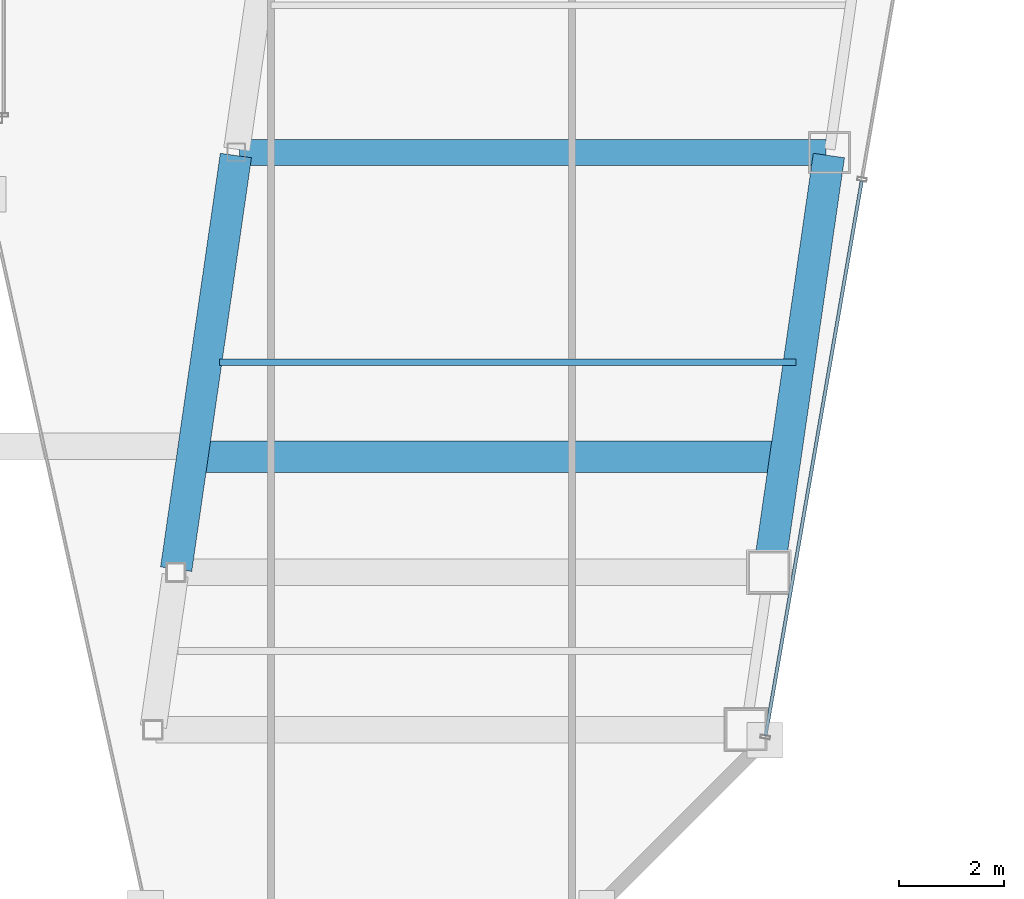
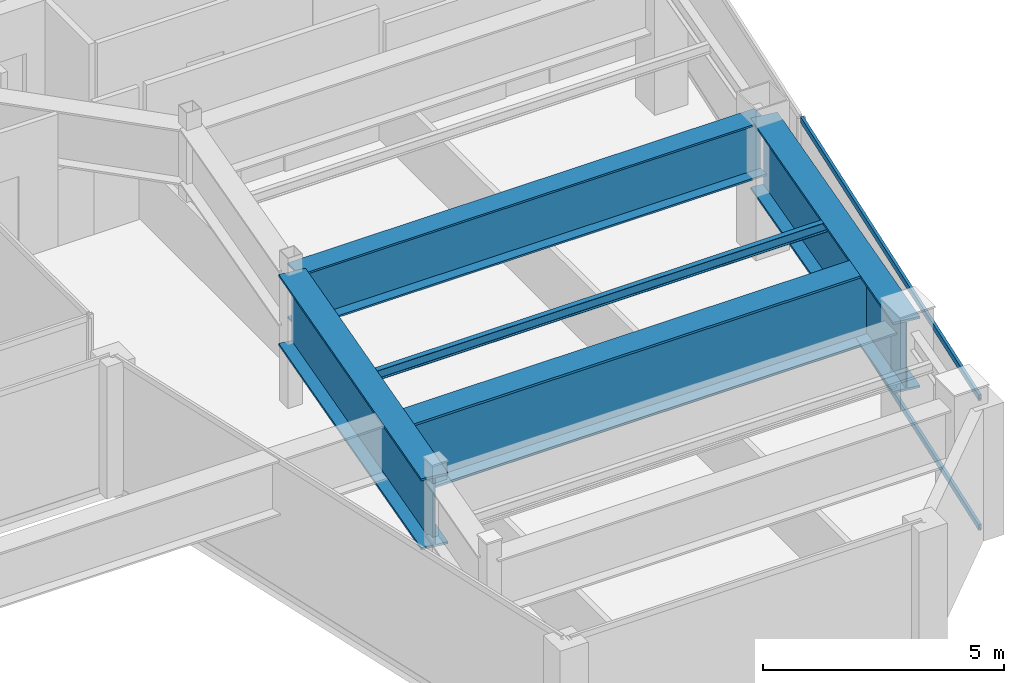
# One storey, part 17 of 35: 5 beams, 2 members, 1 element without a shape of its own.
"""IFC4 building model written with IfcOpenShell, lengths in metres."""

from ifc_helpers import new_model, si_unit, direction, frame, origin, origin_2d, place, context, subcontext, project, spatial, hollow_rectangle, i_section, extrude, material, material_profile, profile_set, type_object, element, aggregate, save


model = new_model("IFC4")

# Units and contexts
model_context = context("Model", 3, precision=1e-05, world=origin(), true_north=direction((0.0, 1.0)))
body_context = subcontext(model_context, "Body", "Model", "MODEL_VIEW")
ifc_project = project(units=[si_unit("LENGTHUNIT", "METRE"), si_unit("AREAUNIT", "SQUARE_METRE"), si_unit("VOLUMEUNIT", "CUBIC_METRE"), si_unit("PLANEANGLEUNIT", "RADIAN"), si_unit("MASSUNIT", "GRAM", prefix="KILO")], contexts=[model_context])

# Site, building, storey
site_placement = place(None, origin())
site = spatial("IfcSite", under=ifc_project, at=site_placement, CompositionType="ELEMENT")
building_placement = place(site_placement, origin())
building = spatial("IfcBuilding", under=site, at=building_placement, Name="Saevonmaru Cultural Tower", CompositionType="ELEMENT")
storey_placement = place(building_placement, frame((0.0, 0.0, 249.60009765625)))
storey = spatial("IfcBuildingStorey", under=building, at=storey_placement, Name="L58", CompositionType="ELEMENT", Elevation=249.60009765625)

# Beams
ifc_material_1 = material(Name="Steel SM355", Category="steel")
ifc_material_profile_1 = material_profile(ifc_material_1, i_section(OverallWidth=0.125, OverallDepth=0.25, WebThickness=0.006103515625, FlangeThickness=0.009033203125, FilletRadius=0.008056640625, at=origin_2d()), Name="H-250x125x6x9")
ifc_profile_set_1 = profile_set([ifc_material_profile_1], Name="Steel SM355")
beam_type_1 = type_object("IfcBeamType", Name="BM-J-H250", PredefinedType="JOIST", material=ifc_profile_set_1)
beam_1_placement = place(storey_placement, frame((40.0634765625, 28.0, 3.224853515625), z_axis=(1.0, 0.0, 0.0), x_axis=(0.0, 1.0, 0.0)))
element("IfcBeam", 1, at=beam_1_placement, inside=storey, type_object=beam_type_1, Name="L58 East Wing Floor Joist 2", PredefinedType="JOIST", context=body_context, shape_type="SweptSolid", body=[
    extrude(i_section(OverallWidth=0.125, OverallDepth=0.25, WebThickness=0.006103515625, FlangeThickness=0.009033203125, FilletRadius=0.008056640625, at=origin_2d()), origin(), (0.0, 0.0, 1.0), 10.98193359375),
])
ifc_material_2 = material(Name="Steel HSA600 (600 MPa)", Category="steel")
ifc_material_profile_2 = material_profile(ifc_material_2, i_section(OverallWidth=0.5, OverallDepth=1.39990234375, WebThickness=0.02392578125, FlangeThickness=0.044921875, at=origin_2d()), Name="PG-1400x500x24x45")
ifc_profile_set_2 = profile_set([ifc_material_profile_2], Name="Steel HSA600 (600 MPa)")
beam_type_2 = type_object("IfcBeamType", Name="BM-TG-PG1400", PredefinedType="BEAM", material=ifc_profile_set_2)
beam_2_placement = place(storey_placement, frame((40.443115234375, 32.0, 2.64990234375), z_axis=(1.0, 0.0, 0.0), x_axis=(0.0, 1.0, 0.0)))
element("IfcBeam", 2, at=beam_2_placement, inside=storey, type_object=beam_type_2, Name="L58 East Wing Transverse Girder 3", PredefinedType="BEAM", context=body_context, shape_type="SweptSolid", body=[
    extrude(i_section(OverallWidth=0.5, OverallDepth=1.39990234375, WebThickness=0.02392578125, FlangeThickness=0.044921875, at=origin_2d()), origin(), (0.0, 0.0, 1.0), 11.179931640625),
])
ifc_material_profile_3 = material_profile(ifc_material_2, i_section(OverallWidth=0.60009765625, OverallDepth=1.800048828125, WebThickness=0.028076171875, FlangeThickness=0.054931640625, at=origin_2d()), Name="PG-1800x600x28x55")
ifc_profile_set_3 = profile_set([ifc_material_profile_3], Name="Steel HSA600 (600 MPa)")
beam_type_3 = type_object("IfcBeamType", Name="BM-TG-PG1800", PredefinedType="BEAM", material=ifc_profile_set_3)
beam_3_placement = place(storey_placement, frame((39.236572265625, 24.059326171875, 2.449951171875), z_axis=(0.142902032203, 0.989736838353, 0.0), x_axis=(-0.989736838353, 0.142902032203, 0.0)))
element("IfcBeam", 3, at=beam_3_placement, inside=storey, type_object=beam_type_3, Name="L58 East Atrium Girder 2", PredefinedType="BEAM", context=body_context, shape_type="SweptSolid", body=[
    extrude(i_section(OverallWidth=0.60009765625, OverallDepth=1.800048828125, WebThickness=0.028076171875, FlangeThickness=0.054931640625, at=origin_2d()), origin(), (0.0, 0.0, 1.0), 7.963134765625),
])
beam_4_placement = place(storey_placement, frame((39.585693359375, 26.199951171875, 2.449951171875), z_axis=(1.0, 0.0, 0.0), x_axis=(0.0, 1.0, 0.0)))
element("IfcBeam", 4, at=beam_4_placement, inside=storey, type_object=beam_type_3, Name="L58 Setback Transfer Plate Girder East", PredefinedType="BEAM", context=body_context, shape_type="SweptSolid", body=[
    extrude(i_section(OverallWidth=0.60009765625, OverallDepth=1.800048828125, WebThickness=0.028076171875, FlangeThickness=0.054931640625, at=origin_2d()), origin(), (0.0, 0.0, 1.0), 11.219970703125),
])
ifc_material_profile_4 = material_profile(ifc_material_2, i_section(OverallWidth=0.60009765625, OverallDepth=1.800048828125, WebThickness=0.028076171875, FlangeThickness=0.054931640625, at=origin_2d()), Name="PG-1800x600x28x55")
ifc_profile_set_4 = profile_set([ifc_material_profile_4], Name="Steel HSA600 (600 MPa)")
beam_type_4 = type_object("IfcBeamType", Name="BM-TG-PG1800-EXT", PredefinedType="SPANDREL", material=ifc_profile_set_4)
beam_5_placement = place(storey_placement, frame((50.53662109375, 24.059326171875, 2.449951171875), z_axis=(0.142871999001, 0.989741174197, 0.0), x_axis=(-0.989741174197, 0.142871999001, 0.0)))
element("IfcBeam", 5, at=beam_5_placement, inside=storey, type_object=beam_type_4, Name="L58 East Splayed Spandrel 2", PredefinedType="SPANDREL", context=body_context, shape_type="SweptSolid", body=[
    extrude(i_section(OverallWidth=0.60009765625, OverallDepth=1.800048828125, WebThickness=0.028076171875, FlangeThickness=0.054931640625, at=origin_2d()), origin(), (0.0, 0.0, 1.0), 7.963134765625),
])

# Curtain wall, members
ifc_material_3 = material(Name="Satin Bronze Anodised Aluminium", Category="aluminium")
curtain_wall_type = type_object("IfcCurtainWallType", Name="CW-TYP-B", PredefinedType="NOTDEFINED", material=ifc_material_3)
curtain_wall_placement = place(storey_placement, origin())
curtain_wall = element("IfcCurtainWall", 6, at=curtain_wall_placement, inside=storey, type_object=curtain_wall_type, Name="L58 Unitised Curtain Wall E8", PredefinedType="NOTDEFINED")
ifc_material_profile_5 = material_profile(ifc_material_3, hollow_rectangle(XDim=0.06494140625, YDim=0.14990234375, WallThickness=0.00390625, at=origin_2d()), Name="ALU-TRAN-150x65x4")
ifc_profile_set_5 = profile_set([ifc_material_profile_5], Name="Satin Bronze Anodised Aluminium")
member_type = type_object("IfcMemberType", Name="TR-CW-150x65", PredefinedType="USERDEFINED", material=ifc_profile_set_5)
member_1_placement = place(storey_placement, frame((50.468994140625, 20.89111328125, 0.032470703125), z_axis=(0.170795272137, 0.985306538604, 0.0), x_axis=(-0.985306538604, 0.170795272137, 0.0)))
member_1 = element("IfcMember", 7, at=member_1_placement, type_object=member_type, Name="CW-TW-L58-E8 transom 1.1", ObjectType="TRANSOM", PredefinedType="USERDEFINED", context=body_context, shape_type="SweptSolid", body=[
    extrude(hollow_rectangle(XDim=0.06494140625, YDim=0.14990234375, WallThickness=0.00390625, at=origin_2d()), origin(), (0.0, 0.0, 1.0), 10.720703125),
])
member_2_placement = place(storey_placement, frame((50.468994140625, 20.89111328125, 3.3173828125), z_axis=(0.170795272137, 0.985306538604, 0.0), x_axis=(-0.985306538604, 0.170795272137, 0.0)))
member_2 = element("IfcMember", 8, at=member_2_placement, type_object=member_type, Name="CW-TW-L58-E8 transom 1.2", ObjectType="TRANSOM", PredefinedType="USERDEFINED", context=body_context, shape_type="SweptSolid", body=[
    extrude(hollow_rectangle(XDim=0.06494140625, YDim=0.14990234375, WallThickness=0.00390625, at=origin_2d()), origin(), (0.0, 0.0, 1.0), 10.720703125),
])
aggregate(curtain_wall, [member_1, member_2])

save(model, "model.ifc")
